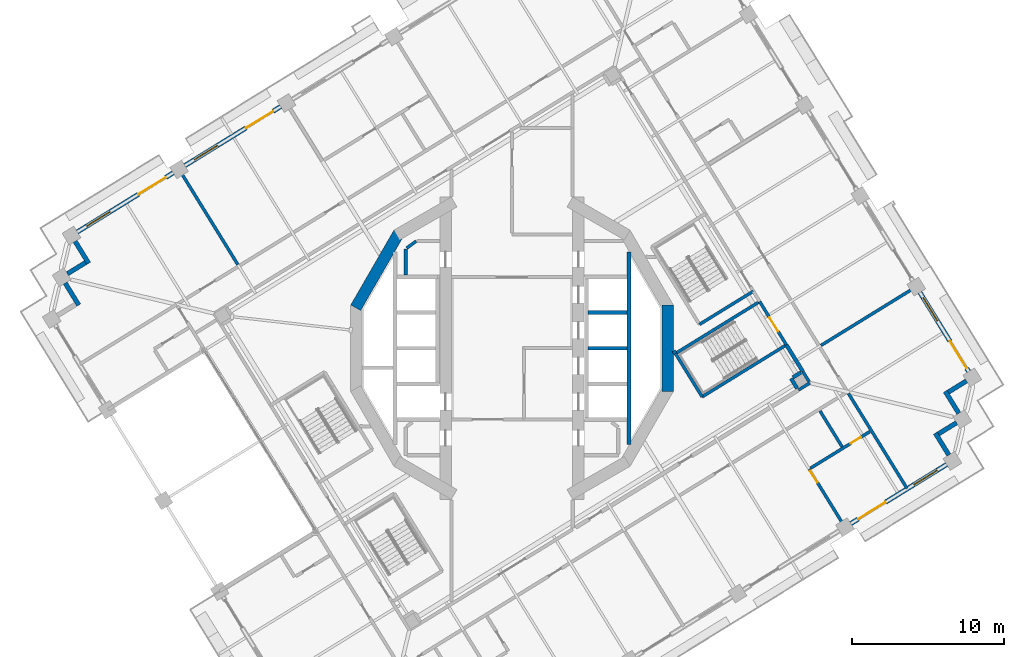
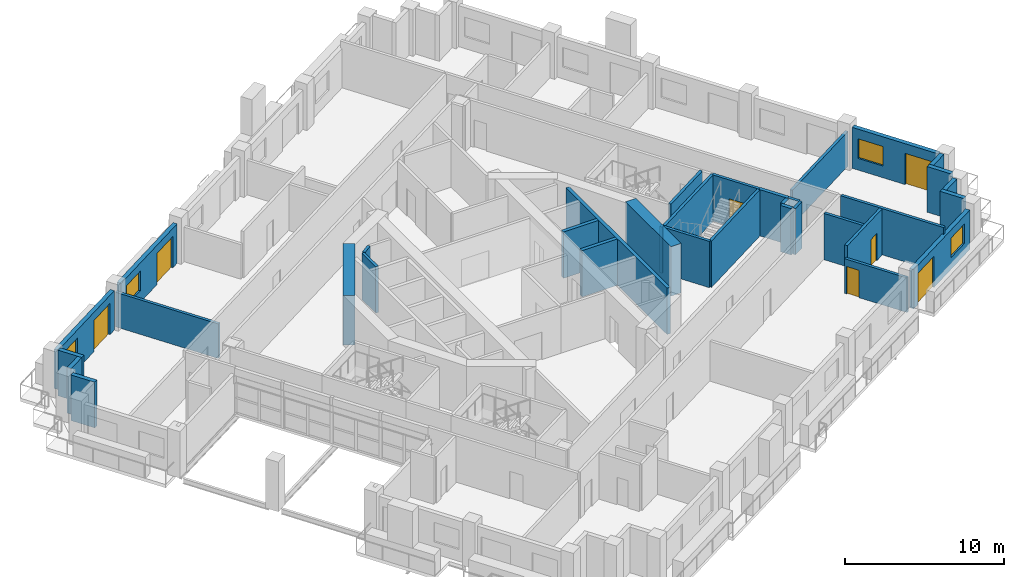
# One storey, part 8 of 20: 35 walls, 7 doors, 4 windows, 11 openings.
"""IFC4 building model written with IfcOpenShell, lengths in metres."""

from ifc_helpers import new_model, si_unit, direction, frame, frame_2d, origin, place, context, subcontext, project, spatial, rectangle, extrude, material, layer, layer_set, type_object, element, fill, save


model = new_model("IFC4")

# Units and contexts
model_context = context("Model", 3, precision=1e-05, world=origin(), true_north=direction((0.0, 1.0)))
body_context = subcontext(model_context, "Body", "Model", "MODEL_VIEW")
ifc_project = project(units=[si_unit("LENGTHUNIT", "METRE"), si_unit("AREAUNIT", "SQUARE_METRE"), si_unit("VOLUMEUNIT", "CUBIC_METRE"), si_unit("PLANEANGLEUNIT", "RADIAN"), si_unit("MASSUNIT", "GRAM", prefix="KILO")], contexts=[model_context])

# Site, building, storey
site_placement = place(None, origin())
site = spatial("IfcSite", under=ifc_project, at=site_placement, CompositionType="ELEMENT")
building_placement = place(site_placement, origin())
building = spatial("IfcBuilding", under=site, at=building_placement, Name="Cantera Rosa Tower", CompositionType="ELEMENT")
storey_placement = place(building_placement, frame((0.0, 0.0, 155.199951171875)))
storey = spatial("IfcBuildingStorey", under=building, at=storey_placement, Name="L33", CompositionType="ELEMENT", Elevation=155.199951171875)

# Walls
ifc_material_1 = material(Name="Gypsum board partition")
ifc_layer_1 = layer(ifc_material_1, 0.199951171875)
ifc_layer_set_1 = layer_set([ifc_layer_1], Name="CORRIDOR WALL 200 H3550")
wall_type_1 = type_object("IfcWallType", Name="CORRIDOR WALL 200 H3550", PredefinedType="PARTITIONING", material=ifc_layer_set_1)
wall_1_placement = place(storey_placement, frame((18.874267578125, -2.7509765625, 0.0), z_axis=(0.0, 0.0, 1.0), x_axis=(0.851162606387, 0.524902102766, 0.0)))
element("IfcWall", 1, at=wall_1_placement, inside=storey, type_object=wall_type_1, Name="CORRIDOR WALL L33-110", PredefinedType="PARTITIONING", context=body_context, shape_type="SweptSolid", body=[
    extrude(rectangle(XDim=0.8798828125, YDim=0.199951171875, at=frame_2d((0.43994140625, 0.0))), origin(), (0.0, 0.0, 1.0), 3.550048828125),
])
wall_2_placement = place(storey_placement, frame((19.57080078125, -2.203857421875, 0.0), z_axis=(0.0, 0.0, 1.0), x_axis=(-0.524952958213, 0.851131242326, 0.0)))
element("IfcWall", 2, at=wall_2_placement, inside=storey, type_object=wall_type_1, Name="CORRIDOR WALL L33-114", PredefinedType="PARTITIONING", context=body_context, shape_type="SweptSolid", body=[
    extrude(rectangle(XDim=0.780029296875, YDim=0.199951171875, at=frame_2d((0.39013671875, 0.0))), origin(), (0.0, 0.0, 1.0), 3.550048828125),
])
ifc_material_2 = material(Name="Hollow clay masonry with cantera stone cladding", Category="masonry")
ifc_layer_2 = layer(ifc_material_2, 0.300048828125)
ifc_layer_set_2 = layer_set([ifc_layer_2], Name="EW-LOGGIA 300")
wall_type_2 = type_object("IfcWallType", Name="EW-LOGGIA 300", PredefinedType="SOLIDWALL", material=ifc_layer_set_2)
wall_3_placement = place(storey_placement, frame((-28.7802734375, 7.0390625, 0.0), z_axis=(0.0, 0.0, 1.0), x_axis=(0.524994468487, -0.851105638601, 0.0)))
element("IfcWall", 3, at=wall_3_placement, inside=storey, type_object=wall_type_2, Name="EN-L33-W13a", PredefinedType="SOLIDWALL", context=body_context, shape_type="SweptSolid", body=[
    extrude(rectangle(XDim=1.7001953125, YDim=0.300048828125, at=frame_2d((0.85009765625, 0.0))), origin(), (0.0, 0.0, 1.0), 3.5),
])
wall_4_placement = place(storey_placement, frame((-28.09423828125, 5.64111328125, 0.0), z_axis=(0.0, 0.0, 1.0), x_axis=(-0.851040987269, -0.525099264891, 0.0)))
element("IfcWall", 4, at=wall_4_placement, inside=storey, type_object=wall_type_2, Name="EN-L33-W13b", PredefinedType="SOLIDWALL", context=body_context, shape_type="SweptSolid", body=[
    extrude(rectangle(XDim=1.39990234375, YDim=0.300048828125, at=frame_2d((0.699951171875, 0.0))), origin(), (0.0, 0.0, 1.0), 3.5),
])
for number, where, z_axis, x_axis, name in (
    (5, (-29.4326171875, 4.286865234375, 0.0), (0.0, 0.0, 1.0), (0.524994468487, -0.851105638601, 0.0), "EN-L33-W14a"),
    (6, (28.7802734375, -7.0390625, 0.0), (0.0, 0.0, 1.0), (-0.524994468487, 0.851105638601, 0.0), "EN-L33-W27a"),
):
    element("IfcWall", number, at=place(storey_placement, frame(where, z_axis=z_axis, x_axis=x_axis)), inside=storey, type_object=wall_type_2, Name=name, PredefinedType="SOLIDWALL", context=body_context, shape_type="SweptSolid", body=[
        extrude(rectangle(XDim=1.7001953125, YDim=0.300048828125, at=frame_2d((0.85009765625, 0.0))), origin(), (0.0, 0.0, 1.0), 3.5),
    ])
wall_5_placement = place(storey_placement, frame((28.09423828125, -5.64111328125, 0.0), z_axis=(0.0, 0.0, 1.0), x_axis=(0.851040987269, 0.525099264891, 0.0)))
element("IfcWall", 7, at=wall_5_placement, inside=storey, type_object=wall_type_2, Name="EN-L33-W27b", PredefinedType="SOLIDWALL", context=body_context, shape_type="SweptSolid", body=[
    extrude(rectangle(XDim=1.39990234375, YDim=0.300048828125, at=frame_2d((0.699951171875, 0.0))), origin(), (0.0, 0.0, 1.0), 3.5),
])
wall_6_placement = place(storey_placement, frame((29.4326171875, -4.286865234375, 0.0), z_axis=(0.0, 0.0, 1.0), x_axis=(-0.524994468487, 0.851105638601, 0.0)))
element("IfcWall", 8, at=wall_6_placement, inside=storey, type_object=wall_type_2, Name="EN-L33-W28a", PredefinedType="SOLIDWALL", context=body_context, shape_type="SweptSolid", body=[
    extrude(rectangle(XDim=1.7001953125, YDim=0.300048828125, at=frame_2d((0.85009765625, 0.0))), origin(), (0.0, 0.0, 1.0), 3.5),
])
wall_7_placement = place(storey_placement, frame((28.74658203125, -2.888916015625, 0.0), z_axis=(0.0, 0.0, 1.0), x_axis=(0.851040987269, 0.525099264891, 0.0)))
element("IfcWall", 9, at=wall_7_placement, inside=storey, type_object=wall_type_2, Name="EN-L33-W28b", PredefinedType="SOLIDWALL", context=body_context, shape_type="SweptSolid", body=[
    extrude(rectangle(XDim=1.39990234375, YDim=0.300048828125, at=frame_2d((0.699951171875, 0.0))), origin(), (0.0, 0.0, 1.0), 3.5),
])

# Wall, openings, window, door
ifc_material_3 = material(Name="Hollow clay masonry with cantera stone cladding", Category="masonry")
ifc_layer_3 = layer(ifc_material_3, 0.300048828125)
ifc_layer_set_3 = layer_set([ifc_layer_3], Name="EW-LOGGIA 300 H3020")
wall_type_3 = type_object("IfcWallType", Name="EW-LOGGIA 300 H3020", PredefinedType="SOLIDWALL", material=ifc_layer_set_3)
wall_8_placement = place(storey_placement, frame((-15.23681640625, 15.92138671875, 0.0), z_axis=(0.0, 0.0, 1.0), x_axis=(-0.85112578684, -0.524961803349, 0.0)))
wall_8 = element("IfcWall", 10, at=wall_8_placement, inside=storey, type_object=wall_type_3, Name="EN-L33-W11", PredefinedType="SOLIDWALL", context=body_context, shape_type="SweptSolid", body=[
    extrude(rectangle(XDim=7.420166015625, YDim=0.300048828125, at=frame_2d((3.7099609375, 0.0))), origin(), (0.0, 0.0, 1.0), 3.02001953125),
])
opening_1_placement = place(wall_8_placement, frame((0.580078125, 0.0, 0.0)))
opening_1 = element("IfcOpeningElement", 11, at=opening_1_placement, cuts=wall_8, Name="Opening L33-TD17", PredefinedType="OPENING", context=body_context, shape_type="SweptSolid", body=[
    extrude(rectangle(XDim=2.10009765625, YDim=2.39990234375, at=frame_2d((1.050048828125, 1.199951171875))), frame((0.0, 0.159912109375, 0.0), z_axis=(0.0, -1.0, 0.0), x_axis=(1.0, 0.0, 0.0)), (0.0, 0.0, 1.0), 0.320068359375),
])
opening_2_placement = place(wall_8_placement, frame((4.889892578125, 0.0, 0.89990234375)))
opening_2 = element("IfcOpeningElement", 12, at=opening_2_placement, cuts=wall_8, Name="Opening L33-W18", PredefinedType="OPENING", context=body_context, shape_type="SweptSolid", body=[
    extrude(rectangle(XDim=1.800048828125, YDim=1.5, at=frame_2d((0.89990234375, 0.75))), frame((0.0, 0.159912109375, 0.0), z_axis=(0.0, -1.0, 0.0), x_axis=(1.0, 0.0, 0.0)), (0.0, 0.0, 1.0), 0.320068359375),
])
ifc_material_4 = material(Name="Aluminium frame with clear glass", Category="aluminium")
window_type = type_object("IfcWindowType", Name="Hotel room window 1800x1500", PartitioningType="DOUBLE_PANEL_VERTICAL", PredefinedType="WINDOW", material=ifc_material_4)
window_1_placement = place(opening_2_placement, origin())
window_1 = element("IfcWindow", 13, at=window_1_placement, inside=storey, type_object=window_type, Name="WINDOW L33-W18", OverallHeight=1.5, OverallWidth=1.800048828125, PartitioningType="SINGLE_PANEL", PredefinedType="WINDOW", context=body_context, shape_type="SweptSolid", body=[
    extrude(rectangle(XDim=1.800048828125, YDim=1.5, at=frame_2d((0.89990234375, 0.75))), frame((0.0, 0.030029296875, 0.0), z_axis=(0.0, -1.0, 0.0), x_axis=(1.0, 0.0, 0.0)), (0.0, 0.0, 1.0), 0.06005859375),
])
fill(opening_2, window_1)
ifc_material_5 = material(Name="Aluminium frame with clear glass", Category="aluminium")
door_type_1 = type_object("IfcDoorType", Name="TD-H 2100x2400", OperationType="NOTDEFINED", PredefinedType="DOOR", material=ifc_material_5)
door_1_placement = place(opening_1_placement, origin())
door_1 = element("IfcDoor", 14, at=door_1_placement, inside=storey, type_object=door_type_1, Name="LOGGIA DOOR L33-TD17", OperationType="SLIDING_TO_LEFT", OverallHeight=2.39990234375, OverallWidth=2.10009765625, PredefinedType="DOOR", context=body_context, shape_type="SweptSolid", body=[
    extrude(rectangle(XDim=2.10009765625, YDim=2.39990234375, at=frame_2d((1.050048828125, 1.199951171875))), frame((0.0, 0.02490234375, 0.0), z_axis=(0.0, -1.0, 0.0), x_axis=(1.0, 0.0, 0.0)), (0.0, 0.0, 1.0), 0.050048828125),
])
fill(opening_1, door_1)

wall_9_placement = place(storey_placement, frame((-22.318115234375, 11.5537109375, 0.0), z_axis=(0.0, 0.0, 1.0), x_axis=(-0.851111085575, -0.524985637909, 0.0)))
wall_9 = element("IfcWall", 15, at=wall_9_placement, inside=storey, type_object=wall_type_3, Name="EN-L33-W12", PredefinedType="SOLIDWALL", context=body_context, shape_type="SweptSolid", body=[
    extrude(rectangle(XDim=7.420166015625, YDim=0.300048828125, at=frame_2d((3.7099609375, 0.0))), origin(), (0.0, 0.0, 1.0), 3.02001953125),
])
opening_3_placement = place(wall_9_placement, frame((0.580078125, 0.0, 0.0)))
opening_3 = element("IfcOpeningElement", 16, at=opening_3_placement, cuts=wall_9, Name="Opening L33-TD19", PredefinedType="OPENING", context=body_context, shape_type="SweptSolid", body=[
    extrude(rectangle(XDim=2.10009765625, YDim=2.39990234375, at=frame_2d((1.050048828125, 1.199951171875))), frame((0.0, 0.159912109375, 0.0), z_axis=(0.0, -1.0, 0.0), x_axis=(1.0, 0.0, 0.0)), (0.0, 0.0, 1.0), 0.320068359375),
])
opening_4_placement = place(wall_9_placement, frame((4.889892578125, 0.0, 0.89990234375)))
opening_4 = element("IfcOpeningElement", 17, at=opening_4_placement, cuts=wall_9, Name="Opening L33-W20", PredefinedType="OPENING", context=body_context, shape_type="SweptSolid", body=[
    extrude(rectangle(XDim=1.800048828125, YDim=1.5, at=frame_2d((0.89990234375, 0.75))), frame((0.0, 0.159912109375, 0.0), z_axis=(0.0, -1.0, 0.0), x_axis=(1.0, 0.0, 0.0)), (0.0, 0.0, 1.0), 0.320068359375),
])
window_2_placement = place(opening_4_placement, origin())
window_2 = element("IfcWindow", 18, at=window_2_placement, inside=storey, type_object=window_type, Name="WINDOW L33-W20", OverallHeight=1.5, OverallWidth=1.800048828125, PartitioningType="SINGLE_PANEL", PredefinedType="WINDOW", context=body_context, shape_type="SweptSolid", body=[
    extrude(rectangle(XDim=1.800048828125, YDim=1.5, at=frame_2d((0.89990234375, 0.75))), frame((0.0, 0.030029296875, 0.0), z_axis=(0.0, -1.0, 0.0), x_axis=(1.0, 0.0, 0.0)), (0.0, 0.0, 1.0), 0.06005859375),
])
fill(opening_4, window_2)
door_2_placement = place(opening_3_placement, origin())
door_2 = element("IfcDoor", 19, at=door_2_placement, inside=storey, type_object=door_type_1, Name="LOGGIA DOOR L33-TD19", OperationType="SLIDING_TO_LEFT", OverallHeight=2.39990234375, OverallWidth=2.10009765625, PredefinedType="DOOR", context=body_context, shape_type="SweptSolid", body=[
    extrude(rectangle(XDim=2.10009765625, YDim=2.39990234375, at=frame_2d((1.050048828125, 1.199951171875))), frame((0.0, 0.02490234375, 0.0), z_axis=(0.0, -1.0, 0.0), x_axis=(1.0, 0.0, 0.0)), (0.0, 0.0, 1.0), 0.050048828125),
])
fill(opening_3, door_2)

wall_10_placement = place(storey_placement, frame((22.318115234375, -11.5537109375, 0.0), z_axis=(0.0, 0.0, 1.0), x_axis=(0.851111085575, 0.524985637909, 0.0)))
wall_10 = element("IfcWall", 20, at=wall_10_placement, inside=storey, type_object=wall_type_3, Name="EN-L33-W26", PredefinedType="SOLIDWALL", context=body_context, shape_type="SweptSolid", body=[
    extrude(rectangle(XDim=7.420166015625, YDim=0.300048828125, at=frame_2d((3.7099609375, 0.0))), origin(), (0.0, 0.0, 1.0), 3.02001953125),
])
opening_5_placement = place(wall_10_placement, frame((0.580078125, 0.0, 0.0)))
opening_5 = element("IfcOpeningElement", 21, at=opening_5_placement, cuts=wall_10, Name="Opening L33-TD35", PredefinedType="OPENING", context=body_context, shape_type="SweptSolid", body=[
    extrude(rectangle(XDim=2.10009765625, YDim=2.39990234375, at=frame_2d((1.050048828125, 1.199951171875))), frame((0.0, 0.159912109375, 0.0), z_axis=(0.0, -1.0, 0.0), x_axis=(1.0, 0.0, 0.0)), (0.0, 0.0, 1.0), 0.320068359375),
])
opening_6_placement = place(wall_10_placement, frame((4.889892578125, 0.0, 0.89990234375)))
opening_6 = element("IfcOpeningElement", 22, at=opening_6_placement, cuts=wall_10, Name="Opening L33-W36", PredefinedType="OPENING", context=body_context, shape_type="SweptSolid", body=[
    extrude(rectangle(XDim=1.800048828125, YDim=1.5, at=frame_2d((0.89990234375, 0.75))), frame((0.0, 0.159912109375, 0.0), z_axis=(0.0, -1.0, 0.0), x_axis=(1.0, 0.0, 0.0)), (0.0, 0.0, 1.0), 0.320068359375),
])
window_3_placement = place(opening_6_placement, origin())
window_3 = element("IfcWindow", 23, at=window_3_placement, inside=storey, type_object=window_type, Name="WINDOW L33-W36", OverallHeight=1.5, OverallWidth=1.800048828125, PartitioningType="SINGLE_PANEL", PredefinedType="WINDOW", context=body_context, shape_type="SweptSolid", body=[
    extrude(rectangle(XDim=1.800048828125, YDim=1.5, at=frame_2d((0.89990234375, 0.75))), frame((0.0, 0.030029296875, 0.0), z_axis=(0.0, -1.0, 0.0), x_axis=(1.0, 0.0, 0.0)), (0.0, 0.0, 1.0), 0.06005859375),
])
fill(opening_6, window_3)
door_3_placement = place(opening_5_placement, origin())
door_3 = element("IfcDoor", 24, at=door_3_placement, inside=storey, type_object=door_type_1, Name="LOGGIA DOOR L33-TD35", OperationType="SLIDING_TO_LEFT", OverallHeight=2.39990234375, OverallWidth=2.10009765625, PredefinedType="DOOR", context=body_context, shape_type="SweptSolid", body=[
    extrude(rectangle(XDim=2.10009765625, YDim=2.39990234375, at=frame_2d((1.050048828125, 1.199951171875))), frame((0.0, 0.02490234375, 0.0), z_axis=(0.0, -1.0, 0.0), x_axis=(1.0, 0.0, 0.0)), (0.0, 0.0, 1.0), 0.050048828125),
])
fill(opening_5, door_3)

ifc_material_6 = material(Name="Hollow clay masonry with cantera stone cladding", Category="masonry")
ifc_layer_4 = layer(ifc_material_6, 0.300048828125)
ifc_layer_set_4 = layer_set([ifc_layer_4], Name="EW-LOGGIA 300 H3140")
wall_type_4 = type_object("IfcWallType", Name="EW-LOGGIA 300 H3140", PredefinedType="SOLIDWALL", material=ifc_layer_set_4)
wall_11_placement = place(storey_placement, frame((30.084716796875, -1.53466796875, 0.0), z_axis=(0.0, 0.0, 1.0), x_axis=(-0.524987447654, 0.851109969279, 0.0)))
wall_11 = element("IfcWall", 25, at=wall_11_placement, inside=storey, type_object=wall_type_4, Name="EN-L33-W01", PredefinedType="SOLIDWALL", context=body_context, shape_type="SweptSolid", body=[
    extrude(rectangle(XDim=6.119873046875, YDim=0.300048828125, at=frame_2d((3.06005859375, 0.0))), origin(), (0.0, 0.0, 1.0), 3.14013671875),
])
opening_7_placement = place(wall_11_placement, frame((0.2548828125, 0.0, 0.0)))
opening_7 = element("IfcOpeningElement", 26, at=opening_7_placement, cuts=wall_11, Name="Opening L33-TD01", PredefinedType="OPENING", context=body_context, shape_type="SweptSolid", body=[
    extrude(rectangle(XDim=2.10009765625, YDim=2.39990234375, at=frame_2d((1.050048828125, 1.199951171875))), frame((0.0, 0.159912109375, 0.0), z_axis=(0.0, -1.0, 0.0), x_axis=(1.0, 0.0, 0.0)), (0.0, 0.0, 1.0), 0.320068359375),
])
opening_8_placement = place(wall_11_placement, frame((3.9150390625, 0.0, 0.89990234375)))
opening_8 = element("IfcOpeningElement", 27, at=opening_8_placement, cuts=wall_11, Name="Opening L33-W02", PredefinedType="OPENING", context=body_context, shape_type="SweptSolid", body=[
    extrude(rectangle(XDim=1.800048828125, YDim=1.5, at=frame_2d((0.89990234375, 0.75))), frame((0.0, 0.159912109375, 0.0), z_axis=(0.0, -1.0, 0.0), x_axis=(1.0, 0.0, 0.0)), (0.0, 0.0, 1.0), 0.320068359375),
])
window_4_placement = place(opening_8_placement, origin())
window_4 = element("IfcWindow", 28, at=window_4_placement, inside=storey, type_object=window_type, Name="WINDOW L33-W02", OverallHeight=1.5, OverallWidth=1.800048828125, PartitioningType="SINGLE_PANEL", PredefinedType="WINDOW", context=body_context, shape_type="SweptSolid", body=[
    extrude(rectangle(XDim=1.800048828125, YDim=1.5, at=frame_2d((0.89990234375, 0.75))), frame((0.0, 0.030029296875, 0.0), z_axis=(0.0, -1.0, 0.0), x_axis=(1.0, 0.0, 0.0)), (0.0, 0.0, 1.0), 0.06005859375),
])
fill(opening_8, window_4)
door_4_placement = place(opening_7_placement, origin())
door_4 = element("IfcDoor", 29, at=door_4_placement, inside=storey, type_object=door_type_1, Name="LOGGIA DOOR L33-TD01", OperationType="SLIDING_TO_LEFT", OverallHeight=2.39990234375, OverallWidth=2.10009765625, PredefinedType="DOOR", context=body_context, shape_type="SweptSolid", body=[
    extrude(rectangle(XDim=2.10009765625, YDim=2.39990234375, at=frame_2d((1.050048828125, 1.199951171875))), frame((0.0, 0.02490234375, 0.0), z_axis=(0.0, -1.0, 0.0), x_axis=(1.0, 0.0, 0.0)), (0.0, 0.0, 1.0), 0.050048828125),
])
fill(opening_7, door_4)

# Wall, opening, door
ifc_material_7 = material(Name="Gypsum board partition")
ifc_layer_5 = layer(ifc_material_7, 0.199951171875)
ifc_layer_set_5 = layer_set([ifc_layer_5], Name="PARTITION 200 H2650")
wall_type_5 = type_object("IfcWallType", Name="PARTITION 200 H2650", PredefinedType="PARTITIONING", material=ifc_layer_set_5)
wall_12_placement = place(storey_placement, frame((21.91943359375, -11.764404296875, 0.0), z_axis=(0.0, 0.0, 1.0), x_axis=(-0.524962561963, 0.851125318938, 0.0)))
wall_12 = element("IfcWall", 30, at=wall_12_placement, inside=storey, type_object=wall_type_5, Name="PARTITION L33-116", PredefinedType="PARTITIONING", context=body_context, shape_type="SweptSolid", body=[
    extrude(rectangle(XDim=4.47021484375, YDim=0.199951171875, at=frame_2d((2.235107421875, 0.0))), origin(), (0.0, 0.0, 1.0), 2.650146484375),
])
opening_9_placement = place(wall_12_placement, frame((3.419921875, 0.0, 0.0)))
opening_9 = element("IfcOpeningElement", 31, at=opening_9_placement, cuts=wall_12, Name="Opening L33-035", PredefinedType="OPENING", context=body_context, shape_type="SweptSolid", body=[
    extrude(rectangle(XDim=0.89990234375, YDim=2.10009765625, at=frame_2d((0.449951171875, 1.050048828125))), frame((0.0, 0.10986328125, 0.0), z_axis=(0.0, -1.0, 0.0), x_axis=(1.0, 0.0, 0.0)), (0.0, 0.0, 1.0), 0.219970703125),
])
ifc_material_8 = material(Name="Timber door leaf", Category="wood")
door_type_2 = type_object("IfcDoorType", Name="ROOM DOOR 900x2100", OperationType="NOTDEFINED", PredefinedType="DOOR", material=ifc_material_8)
door_5_placement = place(opening_9_placement, origin())
door_5 = element("IfcDoor", 32, at=door_5_placement, inside=storey, type_object=door_type_2, Name="DOOR L33-035", OperationType="NOTDEFINED", OverallHeight=2.10009765625, OverallWidth=0.89990234375, PredefinedType="DOOR", context=body_context, shape_type="SweptSolid", body=[
    extrude(rectangle(XDim=0.89990234375, YDim=2.10009765625, at=frame_2d((0.449951171875, 1.050048828125))), frame((0.0, 0.02490234375, 0.0), z_axis=(0.0, -1.0, 0.0), x_axis=(1.0, 0.0, 0.0)), (0.0, 0.0, 1.0), 0.050048828125),
])
fill(opening_9, door_5)

# Walls
wall_13_placement = place(storey_placement, frame((26.610107421875, 4.04150390625, 0.0), z_axis=(0.0, 0.0, 1.0), x_axis=(-0.851109277096, -0.52498856982, 0.0)))
element("IfcWall", 33, at=wall_13_placement, inside=storey, type_object=wall_type_5, Name="PARTITION L33-119", PredefinedType="PARTITIONING", context=body_context, shape_type="SweptSolid", body=[
    extrude(rectangle(XDim=7.349853515625, YDim=0.199951171875, at=frame_2d((3.6748046875, 0.0))), origin(), (0.0, 0.0, 1.0), 2.650146484375),
])
ifc_material_9 = material(Name="Gypsum board partition")
ifc_layer_6 = layer(ifc_material_9, 0.199951171875)
ifc_layer_set_6 = layer_set([ifc_layer_6], Name="PARTITION 200 H3550")
wall_type_6 = type_object("IfcWallType", Name="PARTITION 200 H3550", PredefinedType="PARTITIONING", material=ifc_layer_set_6)
wall_14_placement = place(storey_placement, frame((-7.0, 4.824951171875, 0.0), z_axis=(0.0, 0.0, 1.0), x_axis=(0.0, 1.0, 0.0)))
element("IfcWall", 34, at=wall_14_placement, inside=storey, type_object=wall_type_6, Name="PARTITION L33-039", PredefinedType="PARTITIONING", context=body_context, shape_type="SweptSolid", body=[
    extrude(rectangle(XDim=1.72509765625, YDim=0.199951171875, at=frame_2d((0.862548828125, 0.0))), origin(), (0.0, 0.0, 1.0), 3.550048828125),
])
wall_15_placement = place(storey_placement, frame((-6.935302734375, 6.59716796875, 0.0), z_axis=(0.0, 0.0, 1.0), x_axis=(0.808227862651, 0.588869868506, 0.0)))
element("IfcWall", 35, at=wall_15_placement, inside=storey, type_object=wall_type_6, Name="PARTITION L33-040", PredefinedType="PARTITIONING", context=body_context, shape_type="SweptSolid", body=[
    extrude(rectangle(XDim=0.76904296875, YDim=0.199951171875, at=frame_2d((0.384521484375, 0.0))), origin(), (0.0, 0.0, 1.0), 3.550048828125),
])

# Wall, opening, door
wall_16_placement = place(storey_placement, frame((19.657958984375, -7.9072265625, 0.0), z_axis=(0.0, 0.0, 1.0), x_axis=(0.851120278927, 0.524970733279, 0.0)))
wall_16 = element("IfcWall", 36, at=wall_16_placement, inside=storey, type_object=wall_type_6, Name="PARTITION L33-113", PredefinedType="PARTITIONING", context=body_context, shape_type="SweptSolid", body=[
    extrude(rectangle(XDim=4.599853515625, YDim=0.199951171875, at=frame_2d((2.2998046875, 0.0))), origin(), (0.0, 0.0, 1.0), 3.550048828125),
])
opening_10_placement = place(wall_16_placement, frame((3.110107421875, 0.0, 0.0)))
opening_10 = element("IfcOpeningElement", 37, at=opening_10_placement, cuts=wall_16, Name="Opening L33-036", PredefinedType="OPENING", context=body_context, shape_type="SweptSolid", body=[
    extrude(rectangle(XDim=0.800048828125, YDim=2.10009765625, at=frame_2d((0.39990234375, 1.050048828125))), frame((0.0, 0.10986328125, 0.0), z_axis=(0.0, -1.0, 0.0), x_axis=(1.0, 0.0, 0.0)), (0.0, 0.0, 1.0), 0.219970703125),
])
ifc_material_10 = material(Name="Timber door leaf", Category="wood")
door_type_3 = type_object("IfcDoorType", Name="BATHROOM DOOR 800x2100", OperationType="NOTDEFINED", PredefinedType="DOOR", material=ifc_material_10)
door_6_placement = place(opening_10_placement, origin())
door_6 = element("IfcDoor", 38, at=door_6_placement, inside=storey, type_object=door_type_3, Name="DOOR L33-036", OperationType="NOTDEFINED", OverallHeight=2.10009765625, OverallWidth=0.800048828125, PredefinedType="DOOR", context=body_context, shape_type="SweptSolid", body=[
    extrude(rectangle(XDim=0.800048828125, YDim=2.10009765625, at=frame_2d((0.39990234375, 1.050048828125))), frame((0.0, 0.02490234375, 0.0), z_axis=(0.0, -1.0, 0.0), x_axis=(1.0, 0.0, 0.0)), (0.0, 0.0, 1.0), 0.050048828125),
])
fill(opening_10, door_6)

# Walls
wall_17_placement = place(storey_placement, frame((21.750244140625, -6.499267578125, 0.0), z_axis=(0.0, 0.0, 1.0), x_axis=(-0.525008529336, 0.851096965172, 0.0)))
element("IfcWall", 39, at=wall_17_placement, inside=storey, type_object=wall_type_6, Name="PARTITION L33-115", PredefinedType="PARTITIONING", context=body_context, shape_type="SweptSolid", body=[
    extrude(rectangle(XDim=2.77978515625, YDim=0.199951171875, at=frame_2d((1.389892578125, 0.0))), origin(), (0.0, 0.0, 1.0), 3.550048828125),
])
ifc_material_11 = material(Name="Gypsum board partition")
ifc_layer_7 = layer(ifc_material_11, 0.199951171875)
ifc_layer_set_7 = layer_set([ifc_layer_7], Name="PARTY WALL 200 H2650")
wall_type_7 = type_object("IfcWallType", Name="PARTY WALL 200 H2650", PredefinedType="PARTITIONING", material=ifc_layer_set_7)
wall_18_placement = place(storey_placement, frame((-18.060791015625, 5.508544921875, 0.0), z_axis=(0.0, 0.0, 1.0), x_axis=(-0.524973728225, 0.851118431638, 0.0)))
element("IfcWall", 40, at=wall_18_placement, inside=storey, type_object=wall_type_7, Name="PARTY WALL L33-015", PredefinedType="PARTITIONING", context=body_context, shape_type="SweptSolid", body=[
    extrude(rectangle(XDim=7.35009765625, YDim=0.199951171875, at=frame_2d((3.675048828125, 0.0))), origin(), (0.0, 0.0, 1.0), 2.650146484375),
])
ifc_material_12 = material(Name="Gypsum board partition")
ifc_layer_8 = layer(ifc_material_12, 0.199951171875)
ifc_layer_set_8 = layer_set([ifc_layer_8], Name="PARTY WALL 200 H3550")
wall_type_8 = type_object("IfcWallType", Name="PARTY WALL 200 H3550", PredefinedType="PARTITIONING", material=ifc_layer_set_8)
wall_19_placement = place(storey_placement, frame((26.021728515625, -9.23388671875, 0.0), z_axis=(0.0, 0.0, 1.0), x_axis=(-0.52498856982, 0.851109277096, 0.0)))
element("IfcWall", 41, at=wall_19_placement, inside=storey, type_object=wall_type_8, Name="PARTY WALL L33-118", PredefinedType="PARTITIONING", context=body_context, shape_type="SweptSolid", body=[
    extrude(rectangle(XDim=7.349853515625, YDim=0.199951171875, at=frame_2d((3.6748046875, 0.0))), origin(), (0.0, 0.0, 1.0), 3.550048828125),
])
ifc_material_13 = material(Name="Concrete C60/75", Category="concrete")
ifc_layer_9 = layer(ifc_material_13, 0.75)
ifc_layer_set_9 = layer_set([ifc_layer_9], Name="RC CORE WALL 750 C60/75")
wall_type_9 = type_object("IfcWallType", Name="RC CORE WALL 750 C60/75", PredefinedType="SHEAR", material=ifc_layer_set_9)
wall_20_placement = place(storey_placement, frame((-10.300537109375, 2.659423828125, 0.0), z_axis=(0.0, 0.0, 1.0), x_axis=(0.500021842983, 0.866012792365, 0.0)))
element("IfcWall", 42, at=wall_20_placement, inside=storey, type_object=wall_type_9, Name="CW-W4 L33", PredefinedType="SHEAR", context=body_context, shape_type="SweptSolid", body=[
    extrude(rectangle(XDim=5.694091796875, YDim=0.75, at=frame_2d((2.84716796875, 0.0))), origin(), (0.0, 0.0, 1.0), 3.800048828125),
])
wall_21_placement = place(storey_placement, frame((10.250244140625, 2.846923828125, 0.0), z_axis=(0.0, 0.0, 1.0), x_axis=(0.0, -1.0, 0.0)))
element("IfcWall", 43, at=wall_21_placement, inside=storey, type_object=wall_type_9, Name="CW-E3 L33", PredefinedType="SHEAR", context=body_context, shape_type="SweptSolid", body=[
    extrude(rectangle(XDim=5.69384765625, YDim=0.75, at=frame_2d((2.846923828125, 0.0))), origin(), (0.0, 0.0, 1.0), 3.800048828125),
])
ifc_material_14 = material(Name="Masonry blockwork", Category="masonry")
ifc_layer_10 = layer(ifc_material_14, 0.25)
ifc_layer_set_10 = layer_set([ifc_layer_10], Name="SHAFT WALL 250 H3550")
wall_type_10 = type_object("IfcWallType", Name="SHAFT WALL 250 H3550", PredefinedType="SOLIDWALL", material=ifc_layer_set_10)
for number, where, z_axis, x_axis, name in (
    (44, (5.014892578125, 0.0, 0.0), (0.0, 0.0, 1.0), (1.0, 0.0, 0.0), "SHAFT WALL L33-073"),
    (45, (5.014892578125, 2.35009765625, 0.0), (0.0, 0.0, 1.0), (1.0, 0.0, 0.0), "SHAFT WALL L33-074"),
):
    element("IfcWall", number, at=place(storey_placement, frame(where, z_axis=z_axis, x_axis=x_axis)), inside=storey, type_object=wall_type_10, Name=name, PredefinedType="SOLIDWALL", context=body_context, shape_type="SweptSolid", body=[
        extrude(rectangle(XDim=2.56005859375, YDim=0.25, at=frame_2d((1.280029296875, 0.0))), origin(), (0.0, 0.0, 1.0), 3.550048828125),
    ])
wall_22_placement = place(storey_placement, frame((7.699951171875, -6.353515625, 0.0), z_axis=(0.0, 0.0, 1.0), x_axis=(0.0, 1.0, 0.0)))
element("IfcWall", 46, at=wall_22_placement, inside=storey, type_object=wall_type_10, Name="SHAFT WALL L33-088", PredefinedType="SOLIDWALL", context=body_context, shape_type="SweptSolid", body=[
    extrude(rectangle(XDim=12.70703125, YDim=0.25, at=frame_2d((6.353515625, 0.0))), origin(), (0.0, 0.0, 1.0), 3.550048828125),
])
wall_23_placement = place(storey_placement, frame((10.6552734375, -0.16748046875, 0.0), z_axis=(0.0, 0.0, 1.0), x_axis=(0.524543682015, -0.851383536168, 0.0)))
element("IfcWall", 47, at=wall_23_placement, inside=storey, type_object=wall_type_10, Name="SHAFT WALL L33-096", PredefinedType="SOLIDWALL", context=body_context, shape_type="SweptSolid", body=[
    extrude(rectangle(XDim=0.213623046875, YDim=0.25, at=frame_2d((0.10693359375, 0.0))), origin(), (0.0, 0.0, 1.0), 3.550048828125),
])
wall_24_placement = place(storey_placement, frame((18.384765625, -1.99560546875, 0.0), z_axis=(0.0, 0.0, 1.0), x_axis=(0.52499344753, -0.851106268365, 0.0)))
element("IfcWall", 48, at=wall_24_placement, inside=storey, type_object=wall_type_10, Name="SHAFT WALL L33-109", PredefinedType="SOLIDWALL", context=body_context, shape_type="SweptSolid", body=[
    extrude(rectangle(XDim=0.759765625, YDim=0.25, at=frame_2d((0.3798828125, 0.0))), origin(), (0.0, 0.0, 1.0), 3.550048828125),
])
wall_25_placement = place(storey_placement, frame((19.15087890625, -1.52294921875, 0.0), z_axis=(0.0, 0.0, 1.0), x_axis=(-0.525087139425, 0.851048468661, 0.0)))
element("IfcWall", 49, at=wall_25_placement, inside=storey, type_object=wall_type_10, Name="SHAFT WALL L33-111", PredefinedType="SOLIDWALL", context=body_context, shape_type="SweptSolid", body=[
    extrude(rectangle(XDim=2.050048828125, YDim=0.25, at=frame_2d((1.02490234375, 0.0))), origin(), (0.0, 0.0, 1.0), 3.550048828125),
])
wall_26_placement = place(storey_placement, frame((19.031494140625, -1.596435546875, 0.0), z_axis=(0.0, 0.0, 1.0), x_axis=(-0.85092741859, -0.52528328385, 0.0)))
element("IfcWall", 50, at=wall_26_placement, inside=storey, type_object=wall_type_10, Name="SHAFT WALL L33-112", PredefinedType="SOLIDWALL", context=body_context, shape_type="SweptSolid", body=[
    extrude(rectangle(XDim=0.6201171875, YDim=0.25, at=frame_2d((0.31005859375, 0.0))), origin(), (0.0, 0.0, 1.0), 3.550048828125),
])
ifc_material_15 = material(Name="Concrete C50/60", Category="concrete")
ifc_layer_11 = layer(ifc_material_15, 0.199951171875)
ifc_layer_set_11 = layer_set([ifc_layer_11], Name="STAIR WALL 200 H3550")
wall_type_11 = type_object("IfcWallType", Name="STAIR WALL 200 H3550", PredefinedType="SOLIDWALL", material=ifc_layer_set_11)
wall_27_placement = place(storey_placement, frame((10.767333984375, -0.349365234375, 0.0), z_axis=(0.0, 0.0, 1.0), x_axis=(0.524938861495, -0.85113993661, 0.0)))
element("IfcWall", 51, at=wall_27_placement, inside=storey, type_object=wall_type_11, Name="STAIR WALL L33-097", PredefinedType="SOLIDWALL", context=body_context, shape_type="SweptSolid", body=[
    extrude(rectangle(XDim=3.35009765625, YDim=0.199951171875, at=frame_2d((1.675048828125, 0.0))), origin(), (0.0, 0.0, 1.0), 3.550048828125),
])
for number, where, z_axis, x_axis, name in (
    (52, (10.767333984375, -0.349365234375, 0.0), (0.0, 0.0, 1.0), (0.851120392665, 0.524970548879, 0.0), "STAIR WALL L33-098"),
    (53, (12.52587890625, -3.20068359375, 0.0), (0.0, 0.0, 1.0), (0.851120392665, 0.524970548879, 0.0), "STAIR WALL L33-100"),
):
    element("IfcWall", number, at=place(storey_placement, frame(where, z_axis=z_axis, x_axis=x_axis)), inside=storey, type_object=wall_type_11, Name=name, PredefinedType="SOLIDWALL", context=body_context, shape_type="SweptSolid", body=[
        extrude(rectangle(XDim=6.51904296875, YDim=0.199951171875, at=frame_2d((3.259521484375, 0.0))), origin(), (0.0, 0.0, 1.0), 3.550048828125),
    ])
wall_28_placement = place(storey_placement, frame((15.8955078125, 3.754638671875, 0.0), z_axis=(0.0, 0.0, 1.0), x_axis=(-0.851120688733, -0.524970068871, 0.0)))
element("IfcWall", 54, at=wall_28_placement, inside=storey, type_object=wall_type_11, Name="STAIR WALL L33-105", PredefinedType="SOLIDWALL", context=body_context, shape_type="SweptSolid", body=[
    extrude(rectangle(XDim=4.16650390625, YDim=0.199951171875, at=frame_2d((2.083251953125, 0.0))), origin(), (0.0, 0.0, 1.0), 3.550048828125),
])

# Wall, opening, door
wall_29_placement = place(storey_placement, frame((18.074462890625, 0.2216796875, 0.0), z_axis=(0.0, 0.0, 1.0), x_axis=(-0.524938861495, 0.85113993661, 0.0)))
wall_29 = element("IfcWall", 55, at=wall_29_placement, inside=storey, type_object=wall_type_11, Name="STAIR WALL L33-108", PredefinedType="SOLIDWALL", context=body_context, shape_type="SweptSolid", body=[
    extrude(rectangle(XDim=3.35009765625, YDim=0.199951171875, at=frame_2d((1.675048828125, 0.0))), origin(), (0.0, 0.0, 1.0), 3.550048828125),
])
opening_11_placement = place(wall_29_placement, frame((1.02978515625, 0.0, 0.0)))
opening_11 = element("IfcOpeningElement", 56, at=opening_11_placement, cuts=wall_29, Name="Opening L33-004", PredefinedType="OPENING", context=body_context, shape_type="SweptSolid", body=[
    extrude(rectangle(XDim=1.10009765625, YDim=2.10009765625, at=frame_2d((0.550048828125, 1.050048828125))), frame((0.0, 0.10986328125, 0.0), z_axis=(0.0, -1.0, 0.0), x_axis=(1.0, 0.0, 0.0)), (0.0, 0.0, 1.0), 0.219970703125),
])
ifc_material_16 = material(Name="Steel S355J2 (EN 10025-2)", Category="steel")
door_type_4 = type_object("IfcDoorType", Name="STAIR DOOR 1100x2100", OperationType="NOTDEFINED", PredefinedType="DOOR", material=ifc_material_16)
door_7_placement = place(opening_11_placement, origin())
door_7 = element("IfcDoor", 57, at=door_7_placement, inside=storey, type_object=door_type_4, Name="DOOR L33-004", OperationType="NOTDEFINED", OverallHeight=2.10009765625, OverallWidth=1.10009765625, PredefinedType="DOOR", context=body_context, shape_type="SweptSolid", body=[
    extrude(rectangle(XDim=1.10009765625, YDim=2.10009765625, at=frame_2d((0.550048828125, 1.050048828125))), frame((0.0, 0.02490234375, 0.0), z_axis=(0.0, -1.0, 0.0), x_axis=(1.0, 0.0, 0.0)), (0.0, 0.0, 1.0), 0.050048828125),
])
fill(opening_11, door_7)

save(model, "model.ifc")
